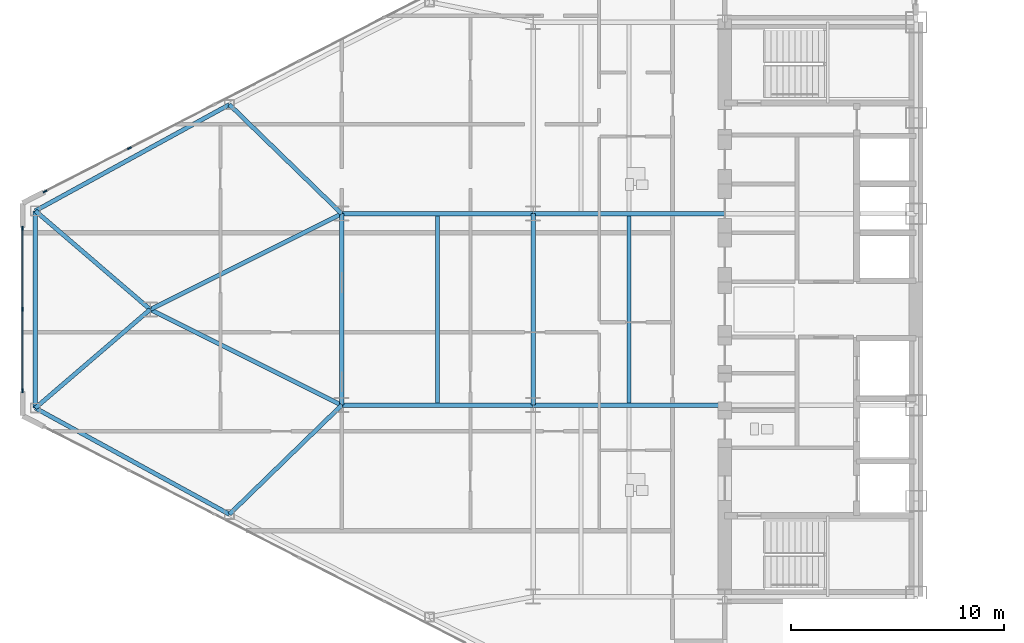
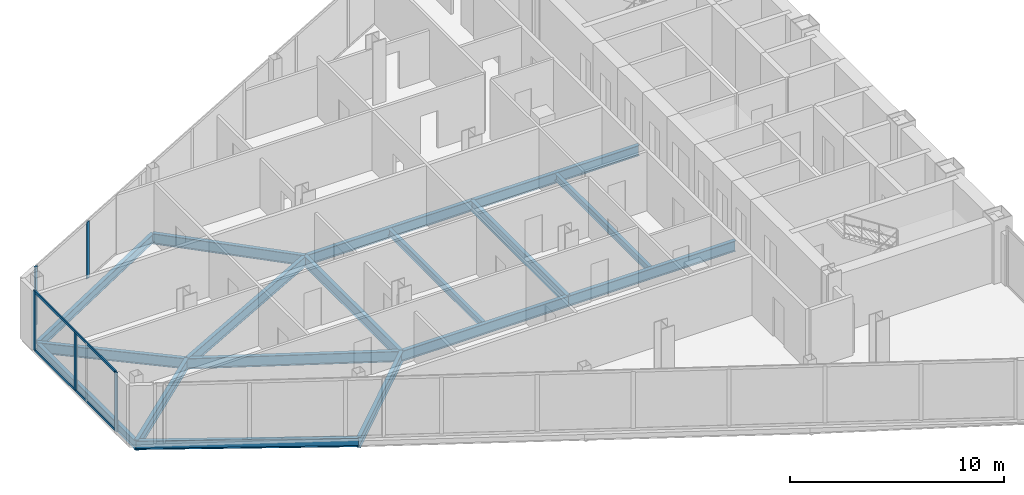
# One storey, part 4 of 24: 17 beams, 7 members, 2 elements without a shape of their own.
"""IFC4 building model written with IfcOpenShell, lengths in metres."""

from ifc_helpers import new_model, si_unit, direction, frame, origin, origin_2d, place, context, subcontext, project, spatial, rectangle, i_section, extrude, source, transform, mapped, material, layer, layer_set, material_profile, profile_set, type_object, type_shapes, element, aggregate, save


model = new_model("IFC4")

# Units and contexts
model_context = context("Model", 3, precision=1e-05, world=origin(), true_north=direction((0.0, 1.0)))
body_context = subcontext(model_context, "Body", "Model", "MODEL_VIEW")
ifc_project = project(units=[si_unit("LENGTHUNIT", "METRE"), si_unit("AREAUNIT", "SQUARE_METRE"), si_unit("VOLUMEUNIT", "CUBIC_METRE"), si_unit("PLANEANGLEUNIT", "RADIAN"), si_unit("MASSUNIT", "GRAM", prefix="KILO")], contexts=[model_context])

# Site, building, storey
site_placement = place(None, origin())
site = spatial("IfcSite", under=ifc_project, at=site_placement, CompositionType="ELEMENT")
building_placement = place(site_placement, origin())
building = spatial("IfcBuilding", under=site, at=building_placement, Name="Seokmaru Belvedere", CompositionType="ELEMENT")
storey_placement = place(building_placement, frame((0.0, 0.0, 124.800048828125)))
storey = spatial("IfcBuildingStorey", under=building, at=storey_placement, Name="L33", CompositionType="ELEMENT", Elevation=124.800048828125)

# Beams
ifc_material_1 = material(Name="Steel SM355 (355 MPa)", Category="steel")
ifc_material_profile_1 = material_profile(ifc_material_1, i_section(OverallWidth=0.199951171875, OverallDepth=0.60009765625, WebThickness=0.010986328125, FlangeThickness=0.01708984375, at=origin_2d()), Name="H-600x200x11x17")
ifc_profile_set_1 = profile_set([ifc_material_profile_1], Name="Steel SM355 (355 MPa)")
beam_type_1 = type_object("IfcBeamType", Name="Primary Floor Girder H-600", PredefinedType="BEAM", material=ifc_profile_set_1)
shared_shape_1 = source(origin(), body_context, "Body", "SweptSolid", [
    extrude(i_section(OverallWidth=0.199951171875, OverallDepth=0.60009765625, WebThickness=0.010986328125, FlangeThickness=0.01708984375, at=origin_2d()), origin(), (0.0, 0.0, 1.0), 9.0),
])
for number, where, z_axis, x_axis, name in (
    (1, (-45.5, -4.5, -0.52001953125), (0.0, 1.0, 0.0), (-1.0, 0.0, 0.0), "L33 W Interior Grid Girder 2"),
    (2, (-45.5, -4.5, -0.52001953125), (1.0, 0.0, 0.0), (0.0, 1.0, 0.0), "L33 W Wing Primary Girder 2"),
    (3, (-45.5, 4.5, -0.52001953125), (1.0, 0.0, 0.0), (0.0, 1.0, 0.0), "L33 W Wing Primary Girder 3"),
    (4, (-54.5, -4.5, -0.52001953125), (1.0, 0.0, 0.0), (0.0, 1.0, 0.0), "L33 W Outer Wing Girder 1"),
    (5, (-54.5, 4.5, -0.52001953125), (1.0, 0.0, 0.0), (0.0, 1.0, 0.0), "L33 W Outer Wing Girder 2"),
    (6, (-54.5, -4.5, -0.52001953125), (0.0, 1.0, 0.0), (-1.0, 0.0, 0.0), "L33 W Apex Frame Girder"),
):
    element("IfcBeam", number, at=place(storey_placement, frame(where, z_axis=z_axis, x_axis=x_axis)), inside=storey, type_object=beam_type_1, Name=name, PredefinedType="BEAM", context=body_context, shape_type="MappedRepresentation", body=[
        mapped(shared_shape_1, transform((0.0, 0.0, 0.0), scale=1.0)),
    ])
shared_shape_2 = source(origin(), body_context, "Body", "SweptSolid", [
    extrude(i_section(OverallWidth=0.199951171875, OverallDepth=0.60009765625, WebThickness=0.010986328125, FlangeThickness=0.01708984375, at=origin_2d()), origin(), (0.0, 0.0, 1.0), 10.062255859375),
])
for number, where, z_axis, x_axis, name in (
    (7, (-54.5, -4.5, -0.52001953125), (-0.894427191, 0.4472135955, 0.0), (-0.4472135955, -0.894427191, 0.0), "L33 W Apex Converging Girder 1"),
    (8, (-54.5, 4.5, -0.52001953125), (-0.894427191, -0.4472135955, 0.0), (0.4472135955, -0.894427191, 0.0), "L33 W Apex Converging Girder 2"),
):
    element("IfcBeam", number, at=place(storey_placement, frame(where, z_axis=z_axis, x_axis=x_axis)), inside=storey, type_object=beam_type_1, Name=name, PredefinedType="BEAM", context=body_context, shape_type="MappedRepresentation", body=[
        mapped(shared_shape_2, transform((0.0, 0.0, 0.0), scale=1.0)),
    ])
ifc_material_profile_2 = material_profile(ifc_material_1, i_section(OverallWidth=0.18505859375, OverallDepth=0.389892578125, WebThickness=0.008056640625, FlangeThickness=0.011962890625, at=origin_2d()), Name="H-390x185x8x12")
ifc_profile_set_2 = profile_set([ifc_material_profile_2], Name="Steel SM355 (355 MPa)")
beam_type_2 = type_object("IfcBeamType", Name="Secondary Floor Joist H-350", PredefinedType="JOIST", material=ifc_profile_set_2)
shared_shape_3 = source(origin(), body_context, "Body", "SweptSolid", [
    extrude(i_section(OverallWidth=0.18505859375, OverallDepth=0.389892578125, WebThickness=0.008056640625, FlangeThickness=0.011962890625, at=origin_2d()), origin(), (0.0, 0.0, 1.0), 8.7900390625),
])
type_shapes(beam_type_2, [shared_shape_3])
for number, where, z_axis, x_axis, name in (
    (9, (-41.0, -4.39501953125, -0.4150390625), (0.0, 1.0, 0.0), (-1.0, 0.0, 0.0), "L33 W Secondary Floor Joist 2"),
    (10, (-50.0, -4.39501953125, -0.4150390625), (0.0, 1.0, 0.0), (-1.0, 0.0, 0.0), "L33 W Outer Bay Secondary Joist"),
):
    element("IfcBeam", number, at=place(storey_placement, frame(where, z_axis=z_axis, x_axis=x_axis)), inside=storey, type_object=beam_type_2, Name=name, PredefinedType="JOIST", context=body_context, shape_type="MappedRepresentation", body=[
        mapped(shared_shape_3, transform((0.0, 0.0, 0.0), scale=1.0)),
    ])
ifc_material_profile_3 = material_profile(ifc_material_1, i_section(OverallWidth=0.199951171875, OverallDepth=0.5, WebThickness=0.010009765625, FlangeThickness=0.01611328125, at=origin_2d()), Name="H-500x200x10x16")
ifc_profile_set_3 = profile_set([ifc_material_profile_3], Name="Steel SM355 (355 MPa)")
beam_type_3 = type_object("IfcBeamType", Name="Perimeter Spandrel Beam H-500", PredefinedType="SPANDREL", material=ifc_profile_set_3)
shared_shape_4 = source(origin(), body_context, "Body", "SweptSolid", [
    extrude(i_section(OverallWidth=0.199951171875, OverallDepth=0.5, WebThickness=0.010009765625, FlangeThickness=0.01611328125, at=origin_2d()), origin(), (0.0, 0.0, 1.0), 10.399658203125),
])
for number, where, z_axis, x_axis, name in (
    (11, (-59.778564453125, -9.62890625, -0.469970703125), (-0.877082374422, 0.480339992587, 0.0), (-0.480339992587, -0.877082374422, 0.0), "L33 W Faceted Flank Spandrel S-4"),
    (12, (-59.778564453125, 9.62890625, -0.469970703125), (-0.877082374422, -0.480339992587, 0.0), (0.480339992587, -0.877082374422, 0.0), "L33 W Faceted Flank Spandrel N-4"),
):
    element("IfcBeam", number, at=place(storey_placement, frame(where, z_axis=z_axis, x_axis=x_axis)), inside=storey, type_object=beam_type_3, Name=name, PredefinedType="SPANDREL", context=body_context, shape_type="MappedRepresentation", body=[
        mapped(shared_shape_4, transform((0.0, 0.0, 0.0), scale=1.0)),
    ])
shared_shape_5 = source(origin(), body_context, "Body", "SweptSolid", [
    extrude(i_section(OverallWidth=0.199951171875, OverallDepth=0.5, WebThickness=0.010009765625, FlangeThickness=0.01611328125, at=origin_2d()), origin(), (0.0, 0.0, 1.0), 9.26708984375),
])
type_shapes(beam_type_3, [shared_shape_4, shared_shape_5])
beam_placement = place(storey_placement, frame((-68.89990234375, -4.633544921875, -0.469970703125), z_axis=(0.0, 1.0, 0.0), x_axis=(-1.0, 0.0, 0.0)))
element("IfcBeam", 13, at=beam_placement, inside=storey, type_object=beam_type_3, Name="L33 W Faceted Apex Spandrel", PredefinedType="SPANDREL", context=body_context, shape_type="MappedRepresentation", body=[
    mapped(shared_shape_5, transform((0.0, 0.0, 0.0), scale=1.0)),
])
shared_shape_6 = source(origin(), body_context, "Body", "SweptSolid", [
    extrude(i_section(OverallWidth=0.199951171875, OverallDepth=0.60009765625, WebThickness=0.010986328125, FlangeThickness=0.01708984375, at=origin_2d()), origin(), (0.0, 0.0, 1.0), 7.35986328125),
])
for number, where, z_axis, x_axis, name in (
    (14, (-59.778564453125, -9.62890625, -0.52001953125), (0.717200745515, 0.696866623273, 0.0), (-0.696866623273, 0.717200745515, 0.0), "L33 W Flank Radial Floor Girder S-3"),
    (15, (-59.778564453125, 9.62890625, -0.52001953125), (0.717200745515, -0.696866623273, 0.0), (0.696866623273, 0.717200745515, 0.0), "L33 W Flank Radial Floor Girder N-3"),
):
    element("IfcBeam", number, at=place(storey_placement, frame(where, z_axis=z_axis, x_axis=x_axis)), inside=storey, type_object=beam_type_1, Name=name, PredefinedType="BEAM", context=body_context, shape_type="MappedRepresentation", body=[
        mapped(shared_shape_6, transform((0.0, 0.0, 0.0), scale=1.0)),
    ])
shared_shape_7 = source(origin(), body_context, "Body", "SweptSolid", [
    extrude(i_section(OverallWidth=0.199951171875, OverallDepth=0.60009765625, WebThickness=0.010986328125, FlangeThickness=0.01708984375, at=origin_2d()), origin(), (0.0, 0.0, 1.0), 7.115478515625),
])
type_shapes(beam_type_1, [shared_shape_1, shared_shape_2, shared_shape_6, shared_shape_7])
for number, where, z_axis, x_axis, name in (
    (16, (-68.89990234375, -4.633544921875, -0.52001953125), (0.758905301881, 0.651201000289, 0.0), (-0.651201000289, 0.758905301881, 0.0), "L33 W Apex Radial Floor Girder 1"),
    (17, (-68.89990234375, 4.633544921875, -0.52001953125), (0.758905301881, -0.651201000289, 0.0), (0.651201000289, 0.758905301881, 0.0), "L33 W Apex Radial Floor Girder 2"),
):
    element("IfcBeam", number, at=place(storey_placement, frame(where, z_axis=z_axis, x_axis=x_axis)), inside=storey, type_object=beam_type_1, Name=name, PredefinedType="BEAM", context=body_context, shape_type="MappedRepresentation", body=[
        mapped(shared_shape_7, transform((0.0, 0.0, 0.0), scale=1.0)),
    ])

# Curtain wall, member
ifc_material_2 = material(Name="Bronze Triple Insulating Glass", Category="glass")
ifc_layer = layer(ifc_material_2, 0.195068359375)
ifc_layer_set = layer_set([ifc_layer], Name="Bronze Triple Insulating Glass")
curtain_wall_type = type_object("IfcCurtainWallType", Name="Sky-Lobby and Mid-Rise Curtain Wall System CW-4", PredefinedType="NOTDEFINED", material=ifc_layer_set)
curtain_wall_1_placement = place(storey_placement, origin())
curtain_wall_1 = element("IfcCurtainWall", 18, at=curtain_wall_1_placement, inside=storey, type_object=curtain_wall_type, Name="L33 Curtain Wall WF3", PredefinedType="NOTDEFINED")
ifc_material_3 = material(Name="Anodised Bronze Aluminium", Category="aluminium")
ifc_material_profile_4 = material_profile(ifc_material_3, rectangle(XDim=0.070068359375, YDim=0.195068359375, at=origin_2d()), Name="CW-M-70x195")
ifc_profile_set_4 = profile_set([ifc_material_profile_4], Name="Anodised Bronze Aluminium")
member_type_1 = type_object("IfcMemberType", Name="Bronze Unitised Mullion 70x195", PredefinedType="MULLION", material=ifc_profile_set_4)
shared_shape_8 = source(origin(), body_context, "Body", "SweptSolid", [
    extrude(rectangle(XDim=0.070068359375, YDim=0.195068359375, at=origin_2d()), origin(), (0.0, 0.0, 1.0), 3.3798828125),
])
member_1_placement = place(storey_placement, frame((-68.44580078125, 5.541015625, 0.0), z_axis=(0.0, 0.0, 1.0), x_axis=(0.456554528263, -0.889695432562, 0.0)))
member_1 = element("IfcMember", 19, at=member_1_placement, type_object=member_type_1, Name="CW:L33:WF3 Mullion 10", PredefinedType="MULLION", context=body_context, shape_type="MappedRepresentation", body=[
    mapped(shared_shape_8, transform((0.0, 0.0, 0.0), scale=1.0)),
])

# Curtain wall, members
curtain_wall_2_placement = place(storey_placement, origin())
curtain_wall_2 = element("IfcCurtainWall", 20, at=curtain_wall_2_placement, inside=storey, type_object=curtain_wall_type, Name="L33 Curtain Wall WF4", PredefinedType="NOTDEFINED")
member_2_placement = place(storey_placement, frame((-69.5, 3.81494140625, 0.0), z_axis=(0.0, 0.0, 1.0), x_axis=(1.0, 0.0, 0.0)))
member_2 = element("IfcMember", 21, at=member_2_placement, type_object=member_type_1, Name="CW:L33:WF4 Mullion 1", PredefinedType="MULLION", context=body_context, shape_type="MappedRepresentation", body=[
    mapped(shared_shape_8, transform((0.0, 0.0, 0.0), scale=1.0)),
])
member_3_placement = place(storey_placement, frame((-69.5, -3.81494140625, 0.0), z_axis=(0.0, 0.0, 1.0), x_axis=(1.0, 0.0, 0.0)))
member_3 = element("IfcMember", 22, at=member_3_placement, type_object=member_type_1, Name="CW:L33:WF4 Mullion 3", PredefinedType="MULLION", context=body_context, shape_type="MappedRepresentation", body=[
    mapped(shared_shape_8, transform((0.0, 0.0, 0.0), scale=1.0)),
])

# Member
shared_shape_9 = source(origin(), body_context, "Body", "SweptSolid", [
    extrude(rectangle(XDim=0.070068359375, YDim=0.195068359375, at=origin_2d()), origin(), (0.0, 0.0, 1.0), 3.25),
])
type_shapes(member_type_1, [shared_shape_8, shared_shape_9])
member_4_placement = place(storey_placement, frame((-64.48193359375, 7.574951171875, 0.06494140625), z_axis=(0.0, 0.0, 1.0), x_axis=(0.456554528263, -0.889695432562, 0.0)))
member_4 = element("IfcMember", 23, at=member_4_placement, type_object=member_type_1, Name="CW:L33:WF3 Mullion 9", PredefinedType="MULLION", context=body_context, shape_type="MappedRepresentation", body=[
    mapped(shared_shape_9, transform((0.0, 0.0, 0.0), scale=1.0)),
])

aggregate(curtain_wall_1, [member_4, member_1])

member_5_placement = place(storey_placement, frame((-69.5, 0.0, 0.06494140625), z_axis=(0.0, 0.0, 1.0), x_axis=(1.0, 0.0, 0.0)))
member_5 = element("IfcMember", 24, at=member_5_placement, type_object=member_type_1, Name="CW:L33:WF4 Mullion 2", PredefinedType="MULLION", context=body_context, shape_type="MappedRepresentation", body=[
    mapped(shared_shape_9, transform((0.0, 0.0, 0.0), scale=1.0)),
])

ifc_material_profile_5 = material_profile(ifc_material_3, rectangle(XDim=0.06494140625, YDim=0.14990234375, at=origin_2d()), Name="CW-T-65x150")
ifc_profile_set_5 = profile_set([ifc_material_profile_5], Name="Anodised Bronze Aluminium")
member_type_2 = type_object("IfcMemberType", Name="Bronze Unitised Transom 65x150", PredefinedType="USERDEFINED", material=ifc_profile_set_5)
shared_shape_10 = source(origin(), body_context, "Body", "SweptSolid", [
    extrude(rectangle(XDim=0.06494140625, YDim=0.14990234375, at=origin_2d()), origin(), (0.0, 0.0, 1.0), 7.56005859375),
])
type_shapes(member_type_2, [shared_shape_10])
member_6_placement = place(storey_placement, frame((-69.5, 3.780029296875, 0.032470703125), z_axis=(0.0, -1.0, 0.0), x_axis=(1.0, 0.0, 0.0)))
member_6 = element("IfcMember", 25, at=member_6_placement, type_object=member_type_2, Name="CW:L33:WF4 Continuous Transom 1", ObjectType="TRANSOM", PredefinedType="USERDEFINED", context=body_context, shape_type="MappedRepresentation", body=[
    mapped(shared_shape_10, transform((0.0, 0.0, 0.0), scale=1.0)),
])

member_7_placement = place(storey_placement, frame((-69.5, 3.780029296875, 3.347412109375), z_axis=(0.0, -1.0, 0.0), x_axis=(1.0, 0.0, 0.0)))
member_7 = element("IfcMember", 26, at=member_7_placement, type_object=member_type_2, Name="CW:L33:WF4 Continuous Transom 2", ObjectType="TRANSOM", PredefinedType="USERDEFINED", context=body_context, shape_type="MappedRepresentation", body=[
    mapped(shared_shape_10, transform((0.0, 0.0, 0.0), scale=1.0)),
])

aggregate(curtain_wall_2, [member_2, member_5, member_3, member_6, member_7])

save(model, "model.ifc")
